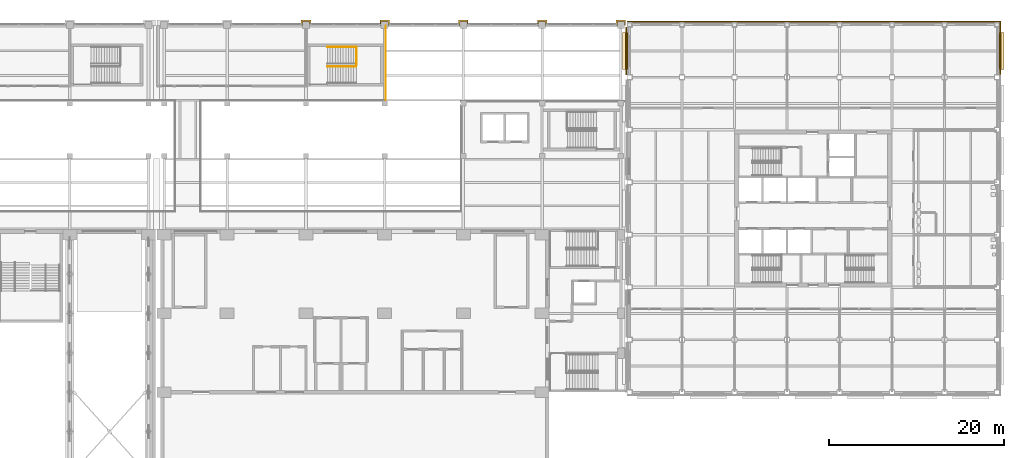
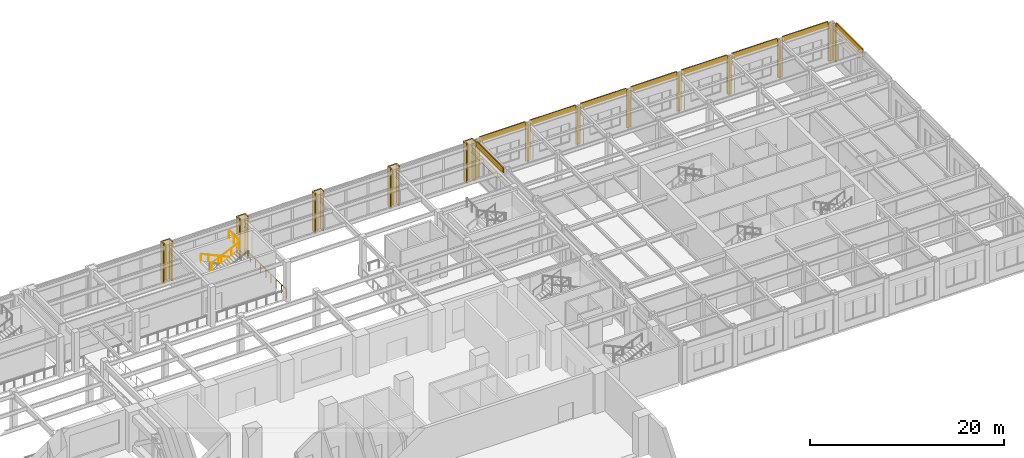
# One storey, part 75 of 76: 25 coverings, 4 railings.
"""IFC4 building model written with IfcOpenShell, lengths in metres."""

from ifc_helpers import new_model, si_unit, direction, frame, origin, origin_2d, place, context, subcontext, project, spatial, polyline, circle, outline, extrude, material, layer, layer_set, type_object, element, save


model = new_model("IFC4")

# Units and contexts
model_context = context("Model", 3, precision=1e-05, world=origin(), true_north=direction((0.0, 1.0)))
body_context = subcontext(model_context, "Body", "Model", "MODEL_VIEW")
ifc_project = project(units=[si_unit("LENGTHUNIT", "METRE"), si_unit("AREAUNIT", "SQUARE_METRE"), si_unit("VOLUMEUNIT", "CUBIC_METRE"), si_unit("PLANEANGLEUNIT", "RADIAN"), si_unit("MASSUNIT", "GRAM", prefix="KILO")], contexts=[model_context])

# Site, building, storey
site_placement = place(None, origin())
site = spatial("IfcSite", under=ifc_project, at=site_placement, CompositionType="ELEMENT")
building_placement = place(site_placement, origin())
building = spatial("IfcBuilding", under=site, at=building_placement, Name="Aravalli Gate Trade Fair Centre", CompositionType="ELEMENT")
storey_placement = place(building_placement, frame((0.0, 0.0, 10.0)))
storey = spatial("IfcBuildingStorey", under=building, at=storey_placement, Name="L02", CompositionType="ELEMENT", Elevation=10.0)

# Railings
ifc_material_1 = material(Name="Steel E350", Category="steel")
railing_type_1 = type_object("IfcRailingType", Name="Concourse guard 1100", PredefinedType="GUARDRAIL", material=ifc_material_1)
railing_1_placement = place(storey_placement, frame((128.800048828125, 128.39990234375, 5.0)))
element("IfcRailing", 1, at=railing_1_placement, inside=storey, type_object=railing_type_1, Name="Guard XE L02 landing edge", PredefinedType="GUARDRAIL", context=body_context, shape_type="SweptSolid", body=[
    extrude(circle(Radius=0.02392578125, at=origin_2d()), frame((0.0, 0.0, 1.076171875), z_axis=(0.0, 1.0, 0.0), x_axis=(-1.0, 0.0, 0.0)), (0.0, 0.0, 1.0), 2.050048828125),
    extrude(circle(Radius=0.02099609375, at=origin_2d()), origin(), (0.0, 0.0, 1.0), 1.052001953125),
    extrude(circle(Radius=0.02099609375, at=origin_2d()), frame((0.0, 1.02490234375, 0.0)), (0.0, 0.0, 1.0), 1.052001953125),
    extrude(circle(Radius=0.02099609375, at=origin_2d()), frame((0.0, 2.050048828125, 0.0)), (0.0, 0.0, 1.0), 1.052001953125),
])
railing_2_placement = place(storey_placement, frame((132.1201171875, 124.35009765625, 0.0)))
element("IfcRailing", 2, at=railing_2_placement, inside=storey, type_object=railing_type_1, Name="Atrium guard LW L02", PredefinedType="GUARDRAIL", context=body_context, shape_type="SweptSolid", body=[
    extrude(circle(Radius=0.02392578125, at=origin_2d()), frame((0.0, 0.0, 1.076171875), z_axis=(0.0, 1.0, 0.0), x_axis=(-1.0, 0.0, 0.0)), (0.0, 0.0, 1.0), 8.52001953125),
    extrude(circle(Radius=0.02099609375, at=origin_2d()), origin(), (0.0, 0.0, 1.0), 1.052001953125),
    extrude(circle(Radius=0.02099609375, at=origin_2d()), frame((0.0, 1.06494140625, 0.0)), (0.0, 0.0, 1.0), 1.052001953125),
    extrude(circle(Radius=0.02099609375, at=origin_2d()), frame((0.0, 2.1298828125, 0.0)), (0.0, 0.0, 1.0), 1.052001953125),
    extrude(circle(Radius=0.02099609375, at=origin_2d()), frame((0.0, 3.195068359375, 0.0)), (0.0, 0.0, 1.0), 1.052001953125),
    extrude(circle(Radius=0.02099609375, at=origin_2d()), frame((0.0, 4.260009765625, 0.0)), (0.0, 0.0, 1.0), 1.052001953125),
    extrude(circle(Radius=0.02099609375, at=origin_2d()), frame((0.0, 5.324951171875, 0.0)), (0.0, 0.0, 1.0), 1.052001953125),
    extrude(circle(Radius=0.02099609375, at=origin_2d()), frame((0.0, 6.39013671875, 0.0)), (0.0, 0.0, 1.0), 1.052001953125),
    extrude(circle(Radius=0.02099609375, at=origin_2d()), frame((0.0, 7.455078125, 0.0)), (0.0, 0.0, 1.0), 1.052001953125),
    extrude(circle(Radius=0.02099609375, at=origin_2d()), frame((0.0, 8.52001953125, 0.0)), (0.0, 0.0, 1.0), 1.052001953125),
])
railing_type_2 = type_object("IfcRailingType", Name="Concourse stair handrail 900", PredefinedType="HANDRAIL", material=ifc_material_1)
railing_3_placement = place(storey_placement, frame((128.75, 130.449951171875, 1.8056640625)))
element("IfcRailing", 3, at=railing_3_placement, inside=storey, type_object=railing_type_2, Name="Handrail XE L02 flight 2o", PredefinedType="HANDRAIL", context=body_context, shape_type="SweptSolid", body=[
    extrude(circle(Radius=0.02392578125, at=origin_2d()), frame((0.0, 0.0, 0.8759765625), z_axis=(-0.907499493834, 0.0, 0.420053173647), x_axis=(0.0, -1.0, 0.0)), (0.0, 0.0, 1.0), 1.322265625),
    extrude(circle(Radius=0.02392578125, at=origin_2d()), frame((-1.199951171875, 0.0, 1.43115234375), z_axis=(-0.907429102623, 0.0, 0.420205216189), x_axis=(0.0, -1.0, 0.0)), (0.0, 0.0, 1.0), 1.322265625),
    extrude(circle(Radius=0.02392578125, at=origin_2d()), frame((-2.39990234375, 0.0, 1.98681640625), z_axis=(-0.907555517655, 0.0, 0.419932116387), x_axis=(0.0, -1.0, 0.0)), (0.0, 0.0, 1.0), 0.991943359375),
    extrude(circle(Radius=0.02099609375, at=origin_2d()), origin(), (0.0, 0.0, 1.0), 0.851806640625),
    extrude(circle(Radius=0.02099609375, at=origin_2d()), frame((-1.199951171875, 0.0, 0.555419921875)), (0.0, 0.0, 1.0), 0.851806640625),
    extrude(circle(Radius=0.02099609375, at=origin_2d()), frame((-2.39990234375, 0.0, 1.111083984375)), (0.0, 0.0, 1.0), 0.851806640625),
    extrude(circle(Radius=0.02099609375, at=origin_2d()), frame((-3.300048828125, 0.0, 1.527587890625)), (0.0, 0.0, 1.0), 0.851806640625),
])
railing_4_placement = place(storey_placement, frame((125.449951171875, 128.25, 3.47216796875)))
element("IfcRailing", 4, at=railing_4_placement, inside=storey, type_object=railing_type_2, Name="Handrail XE L02 flight 3i", PredefinedType="HANDRAIL", context=body_context, shape_type="SweptSolid", body=[
    extrude(circle(Radius=0.02392578125, at=origin_2d()), frame((0.0, 0.0, 0.8759765625), z_axis=(0.907429102623, 0.0, 0.420205216189), x_axis=(0.0, 1.0, 0.0)), (0.0, 0.0, 1.0), 1.322265625),
    extrude(circle(Radius=0.02392578125, at=origin_2d()), frame((1.199951171875, 0.0, 1.431640625), z_axis=(0.907532064172, 0.0, 0.419982800242), x_axis=(0.0, 1.0, 0.0)), (0.0, 0.0, 1.0), 1.322509765625),
    extrude(circle(Radius=0.02392578125, at=origin_2d()), frame((2.400146484375, 0.0, 1.98681640625), z_axis=(0.907418235185, 0.0, 0.420228683522), x_axis=(0.0, 1.0, 0.0)), (0.0, 0.0, 1.0), 0.99169921875),
    extrude(circle(Radius=0.02099609375, at=origin_2d()), origin(), (0.0, 0.0, 1.0), 0.851806640625),
    extrude(circle(Radius=0.02099609375, at=origin_2d()), frame((1.199951171875, 0.0, 0.5556640625)), (0.0, 0.0, 1.0), 0.851806640625),
    extrude(circle(Radius=0.02099609375, at=origin_2d()), frame((2.400146484375, 0.0, 1.111083984375)), (0.0, 0.0, 1.0), 0.851806640625),
    extrude(circle(Radius=0.02099609375, at=origin_2d()), frame((3.300048828125, 0.0, 1.52783203125)), (0.0, 0.0, 1.0), 0.851806640625),
])

# Coverings
ifc_material_2 = material(Name="Glazed terracotta", Category="masonry")
ifc_layer_1 = layer(ifc_material_2, 0.14990234375)
ifc_layer_set_1 = layer_set([ifc_layer_1], Name="Glazed terracotta")
covering_type_1 = type_object("IfcCoveringType", Name="Terracotta pier casing 150", PredefinedType="CLADDING", material=ifc_layer_set_1)
covering_1_placement = place(storey_placement, origin())
element("IfcCovering", 5, at=covering_1_placement, inside=storey, type_object=covering_type_1, Name="Pier casing K14 L02", PredefinedType="CLADDING", context=body_context, shape_type="SweptSolid", body=[
    extrude(outline(polyline([(122.449951171875, 132.919921875), (122.60009765625, 132.919921875), (122.60009765625, 133.39990234375), (123.39990234375, 133.39990234375), (123.39990234375, 132.919921875), (123.550048828125, 132.919921875), (123.550048828125, 133.550048828125), (122.449951171875, 133.550048828125), (122.449951171875, 132.919921875)])), origin(), (0.0, 0.0, 1.0), 5.0),
])
covering_2_placement = place(storey_placement, origin())
element("IfcCovering", 6, at=covering_2_placement, inside=storey, type_object=covering_type_1, Name="Pier casing K15 L02", PredefinedType="CLADDING", context=body_context, shape_type="SweptSolid", body=[
    extrude(outline(polyline([(131.449951171875, 132.919921875), (131.60009765625, 132.919921875), (131.60009765625, 133.39990234375), (132.39990234375, 133.39990234375), (132.39990234375, 132.919921875), (132.550048828125, 132.919921875), (132.550048828125, 133.550048828125), (131.449951171875, 133.550048828125), (131.449951171875, 132.919921875)])), origin(), (0.0, 0.0, 1.0), 5.0),
])
covering_3_placement = place(storey_placement, origin())
element("IfcCovering", 7, at=covering_3_placement, inside=storey, type_object=covering_type_1, Name="Pier casing K16 L02", PredefinedType="CLADDING", context=body_context, shape_type="SweptSolid", body=[
    extrude(outline(polyline([(140.449951171875, 132.919921875), (140.60009765625, 132.919921875), (140.60009765625, 133.39990234375), (141.39990234375, 133.39990234375), (141.39990234375, 132.919921875), (141.550048828125, 132.919921875), (141.550048828125, 133.550048828125), (140.449951171875, 133.550048828125), (140.449951171875, 132.919921875)])), origin(), (0.0, 0.0, 1.0), 5.0),
])
covering_4_placement = place(storey_placement, origin())
element("IfcCovering", 8, at=covering_4_placement, inside=storey, type_object=covering_type_1, Name="Pier casing K17 L02", PredefinedType="CLADDING", context=body_context, shape_type="SweptSolid", body=[
    extrude(outline(polyline([(149.449951171875, 132.919921875), (149.60009765625, 132.919921875), (149.60009765625, 133.39990234375), (150.39990234375, 133.39990234375), (150.39990234375, 132.919921875), (150.550048828125, 132.919921875), (150.550048828125, 133.550048828125), (149.449951171875, 133.550048828125), (149.449951171875, 132.919921875)])), origin(), (0.0, 0.0, 1.0), 5.0),
])
covering_5_placement = place(storey_placement, origin())
element("IfcCovering", 9, at=covering_5_placement, inside=storey, type_object=covering_type_1, Name="Pier casing KE L02", PredefinedType="CLADDING", context=body_context, shape_type="SweptSolid", body=[
    extrude(outline(polyline([(158.449951171875, 132.919921875), (158.60009765625, 132.919921875), (158.60009765625, 133.39990234375), (159.39990234375, 133.39990234375), (159.39990234375, 132.919921875), (159.550048828125, 132.919921875), (159.550048828125, 133.550048828125), (158.449951171875, 133.550048828125), (158.449951171875, 132.919921875)])), origin(), (0.0, 0.0, 1.0), 5.0),
])
ifc_material_3 = material(Name="Terracotta", Category="masonry")
ifc_layer_2 = layer(ifc_material_3, 0.10009765625)
ifc_layer_set_2 = layer_set([ifc_layer_2], Name="Terracotta")
covering_type_2 = type_object("IfcCoveringType", Name="Wing chhajja hood 100", PredefinedType="MOLDING", material=ifc_layer_set_2)
covering_6_placement = place(storey_placement, frame((0.0, 0.0, 3.449951171875)))
element("IfcCovering", 10, at=covering_6_placement, inside=storey, type_object=covering_type_2, Name="Chhajja hood W6 L02", PredefinedType="MOLDING", context=body_context, shape_type="SweptSolid", body=[
    extrude(outline(polyline([(159.199951171875, 127.89990234375), (159.800048828125, 127.89990234375), (159.800048828125, 132.10009765625), (159.199951171875, 132.10009765625), (159.199951171875, 127.89990234375)])), origin(), (0.0, 0.0, 1.0), 0.10009765625),
])
covering_7_placement = place(storey_placement, frame((0.0, 0.0, 3.449951171875)))
element("IfcCovering", 11, at=covering_7_placement, inside=storey, type_object=covering_type_2, Name="Chhajja hood E6 L02", PredefinedType="MOLDING", context=body_context, shape_type="SweptSolid", body=[
    extrude(outline(polyline([(202.199951171875, 127.89990234375), (202.800048828125, 127.89990234375), (202.800048828125, 132.10009765625), (202.199951171875, 132.10009765625), (202.199951171875, 127.89990234375)])), origin(), (0.0, 0.0, 1.0), 0.10009765625),
])
ifc_layer_3 = layer(ifc_material_2, 0.14990234375)
ifc_layer_set_3 = layer_set([ifc_layer_3], Name="Glazed terracotta")
covering_type_3 = type_object("IfcCoveringType", Name="Wing pier casing 150", PredefinedType="CLADDING", material=ifc_layer_set_3)
covering_8_placement = place(storey_placement, origin())
element("IfcCovering", 12, at=covering_8_placement, inside=storey, type_object=covering_type_3, Name="Pier casing 18K N L02", PredefinedType="CLADDING", context=body_context, shape_type="SweptSolid", body=[
    extrude(outline(polyline([(159.72509765625, 133.27490234375), (160.27490234375, 133.27490234375), (160.27490234375, 133.425048828125), (159.72509765625, 133.425048828125), (159.72509765625, 133.27490234375)])), origin(), (0.0, 0.0, 1.0), 4.800048828125),
])
covering_9_placement = place(storey_placement, origin())
element("IfcCovering", 13, at=covering_9_placement, inside=storey, type_object=covering_type_3, Name="Pier casing 19K N L02", PredefinedType="CLADDING", context=body_context, shape_type="SweptSolid", body=[
    extrude(outline(polyline([(165.72509765625, 133.27490234375), (166.27490234375, 133.27490234375), (166.27490234375, 133.425048828125), (165.72509765625, 133.425048828125), (165.72509765625, 133.27490234375)])), origin(), (0.0, 0.0, 1.0), 4.800048828125),
])
covering_10_placement = place(storey_placement, origin())
element("IfcCovering", 14, at=covering_10_placement, inside=storey, type_object=covering_type_3, Name="Pier casing 20K N L02", PredefinedType="CLADDING", context=body_context, shape_type="SweptSolid", body=[
    extrude(outline(polyline([(171.72509765625, 133.27490234375), (172.27490234375, 133.27490234375), (172.27490234375, 133.425048828125), (171.72509765625, 133.425048828125), (171.72509765625, 133.27490234375)])), origin(), (0.0, 0.0, 1.0), 4.800048828125),
])
covering_11_placement = place(storey_placement, origin())
element("IfcCovering", 15, at=covering_11_placement, inside=storey, type_object=covering_type_3, Name="Pier casing 21K N L02", PredefinedType="CLADDING", context=body_context, shape_type="SweptSolid", body=[
    extrude(outline(polyline([(177.72509765625, 133.27490234375), (178.27490234375, 133.27490234375), (178.27490234375, 133.425048828125), (177.72509765625, 133.425048828125), (177.72509765625, 133.27490234375)])), origin(), (0.0, 0.0, 1.0), 4.800048828125),
])
covering_12_placement = place(storey_placement, origin())
element("IfcCovering", 16, at=covering_12_placement, inside=storey, type_object=covering_type_3, Name="Pier casing 22K N L02", PredefinedType="CLADDING", context=body_context, shape_type="SweptSolid", body=[
    extrude(outline(polyline([(183.72509765625, 133.27490234375), (184.27490234375, 133.27490234375), (184.27490234375, 133.425048828125), (183.72509765625, 133.425048828125), (183.72509765625, 133.27490234375)])), origin(), (0.0, 0.0, 1.0), 4.800048828125),
])
covering_13_placement = place(storey_placement, origin())
element("IfcCovering", 17, at=covering_13_placement, inside=storey, type_object=covering_type_3, Name="Pier casing 23K N L02", PredefinedType="CLADDING", context=body_context, shape_type="SweptSolid", body=[
    extrude(outline(polyline([(189.72509765625, 133.27490234375), (190.27490234375, 133.27490234375), (190.27490234375, 133.425048828125), (189.72509765625, 133.425048828125), (189.72509765625, 133.27490234375)])), origin(), (0.0, 0.0, 1.0), 4.800048828125),
])
covering_14_placement = place(storey_placement, origin())
element("IfcCovering", 18, at=covering_14_placement, inside=storey, type_object=covering_type_3, Name="Pier casing 24K N L02", PredefinedType="CLADDING", context=body_context, shape_type="SweptSolid", body=[
    extrude(outline(polyline([(195.72509765625, 133.27490234375), (196.27490234375, 133.27490234375), (196.27490234375, 133.425048828125), (195.72509765625, 133.425048828125), (195.72509765625, 133.27490234375)])), origin(), (0.0, 0.0, 1.0), 4.800048828125),
])
covering_15_placement = place(storey_placement, origin())
element("IfcCovering", 19, at=covering_15_placement, inside=storey, type_object=covering_type_3, Name="Pier casing 25K N L02", PredefinedType="CLADDING", context=body_context, shape_type="SweptSolid", body=[
    extrude(outline(polyline([(201.72509765625, 133.27490234375), (202.425048828125, 133.27490234375), (202.425048828125, 133.425048828125), (201.72509765625, 133.425048828125), (201.72509765625, 133.27490234375)])), origin(), (0.0, 0.0, 1.0), 4.800048828125),
])
covering_16_placement = place(storey_placement, origin())
element("IfcCovering", 20, at=covering_16_placement, inside=storey, type_object=covering_type_3, Name="Pier casing 25K E L02", PredefinedType="CLADDING", context=body_context, shape_type="SweptSolid", body=[
    extrude(outline(polyline([(202.27490234375, 132.72509765625), (202.425048828125, 132.72509765625), (202.425048828125, 133.27490234375), (202.27490234375, 133.27490234375), (202.27490234375, 132.72509765625)])), origin(), (0.0, 0.0, 1.0), 4.800048828125),
])
ifc_layer_4 = layer(ifc_material_2, 0.1201171875)
ifc_layer_set_4 = layer_set([ifc_layer_4], Name="Glazed terracotta")
covering_type_4 = type_object("IfcCoveringType", Name="Wing spandrel band 120", PredefinedType="CLADDING", material=ifc_layer_set_4)
covering_17_placement = place(storey_placement, frame((0.0, 0.0, 4.35009765625)))
element("IfcCovering", 21, at=covering_17_placement, inside=storey, type_object=covering_type_4, Name="Spandrel band N0 L02", PredefinedType="CLADDING", context=body_context, shape_type="SweptSolid", body=[
    extrude(outline(polyline([(160.27490234375, 133.304931640625), (165.72509765625, 133.304931640625), (165.72509765625, 133.425048828125), (160.27490234375, 133.425048828125), (160.27490234375, 133.304931640625)])), origin(), (0.0, 0.0, 1.0), 0.64990234375),
])
covering_18_placement = place(storey_placement, frame((0.0, 0.0, 4.35009765625)))
element("IfcCovering", 22, at=covering_18_placement, inside=storey, type_object=covering_type_4, Name="Spandrel band N1 L02", PredefinedType="CLADDING", context=body_context, shape_type="SweptSolid", body=[
    extrude(outline(polyline([(166.27490234375, 133.304931640625), (171.72509765625, 133.304931640625), (171.72509765625, 133.425048828125), (166.27490234375, 133.425048828125), (166.27490234375, 133.304931640625)])), origin(), (0.0, 0.0, 1.0), 0.64990234375),
])
covering_19_placement = place(storey_placement, frame((0.0, 0.0, 4.35009765625)))
element("IfcCovering", 23, at=covering_19_placement, inside=storey, type_object=covering_type_4, Name="Spandrel band N2 L02", PredefinedType="CLADDING", context=body_context, shape_type="SweptSolid", body=[
    extrude(outline(polyline([(172.27490234375, 133.304931640625), (177.72509765625, 133.304931640625), (177.72509765625, 133.425048828125), (172.27490234375, 133.425048828125), (172.27490234375, 133.304931640625)])), origin(), (0.0, 0.0, 1.0), 0.64990234375),
])
covering_20_placement = place(storey_placement, frame((0.0, 0.0, 4.35009765625)))
element("IfcCovering", 24, at=covering_20_placement, inside=storey, type_object=covering_type_4, Name="Spandrel band N3 L02", PredefinedType="CLADDING", context=body_context, shape_type="SweptSolid", body=[
    extrude(outline(polyline([(178.27490234375, 133.304931640625), (183.72509765625, 133.304931640625), (183.72509765625, 133.425048828125), (178.27490234375, 133.425048828125), (178.27490234375, 133.304931640625)])), origin(), (0.0, 0.0, 1.0), 0.64990234375),
])
covering_21_placement = place(storey_placement, frame((0.0, 0.0, 4.35009765625)))
element("IfcCovering", 25, at=covering_21_placement, inside=storey, type_object=covering_type_4, Name="Spandrel band N4 L02", PredefinedType="CLADDING", context=body_context, shape_type="SweptSolid", body=[
    extrude(outline(polyline([(184.27490234375, 133.304931640625), (189.72509765625, 133.304931640625), (189.72509765625, 133.425048828125), (184.27490234375, 133.425048828125), (184.27490234375, 133.304931640625)])), origin(), (0.0, 0.0, 1.0), 0.64990234375),
])
covering_22_placement = place(storey_placement, frame((0.0, 0.0, 4.35009765625)))
element("IfcCovering", 26, at=covering_22_placement, inside=storey, type_object=covering_type_4, Name="Spandrel band N5 L02", PredefinedType="CLADDING", context=body_context, shape_type="SweptSolid", body=[
    extrude(outline(polyline([(190.27490234375, 133.304931640625), (195.72509765625, 133.304931640625), (195.72509765625, 133.425048828125), (190.27490234375, 133.425048828125), (190.27490234375, 133.304931640625)])), origin(), (0.0, 0.0, 1.0), 0.64990234375),
])
covering_23_placement = place(storey_placement, frame((0.0, 0.0, 4.35009765625)))
element("IfcCovering", 27, at=covering_23_placement, inside=storey, type_object=covering_type_4, Name="Spandrel band N6 L02", PredefinedType="CLADDING", context=body_context, shape_type="SweptSolid", body=[
    extrude(outline(polyline([(196.27490234375, 133.304931640625), (201.72509765625, 133.304931640625), (201.72509765625, 133.425048828125), (196.27490234375, 133.425048828125), (196.27490234375, 133.304931640625)])), origin(), (0.0, 0.0, 1.0), 0.64990234375),
])
covering_24_placement = place(storey_placement, frame((0.0, 0.0, 4.35009765625)))
element("IfcCovering", 28, at=covering_24_placement, inside=storey, type_object=covering_type_4, Name="Spandrel band W6 L02", PredefinedType="CLADDING", context=body_context, shape_type="SweptSolid", body=[
    extrude(outline(polyline([(159.574951171875, 127.27490234375), (159.695068359375, 127.27490234375), (159.695068359375, 132.72509765625), (159.574951171875, 132.72509765625), (159.574951171875, 127.27490234375)])), origin(), (0.0, 0.0, 1.0), 0.64990234375),
])
covering_25_placement = place(storey_placement, frame((0.0, 0.0, 4.35009765625)))
element("IfcCovering", 29, at=covering_25_placement, inside=storey, type_object=covering_type_4, Name="Spandrel band E6 L02", PredefinedType="CLADDING", context=body_context, shape_type="SweptSolid", body=[
    extrude(outline(polyline([(202.304931640625, 127.27490234375), (202.425048828125, 127.27490234375), (202.425048828125, 132.72509765625), (202.304931640625, 132.72509765625), (202.304931640625, 127.27490234375)])), origin(), (0.0, 0.0, 1.0), 0.64990234375),
])

save(model, "model.ifc")
